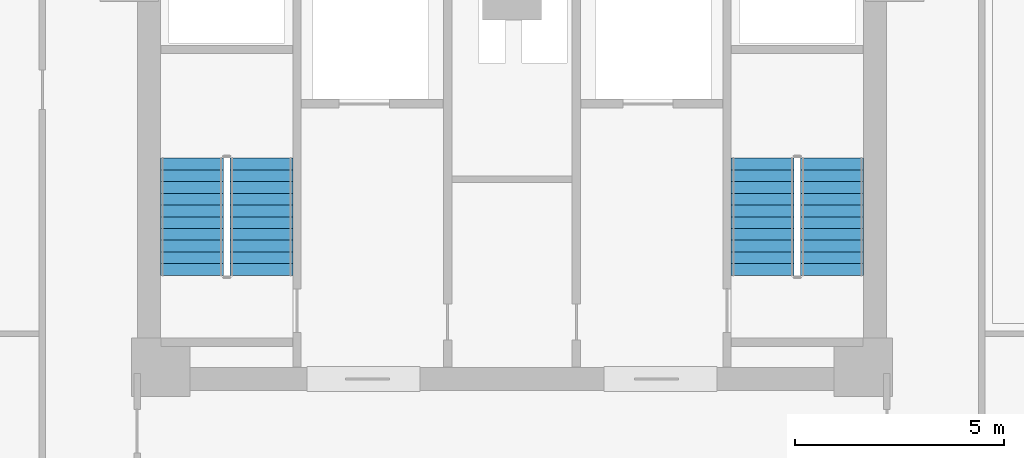
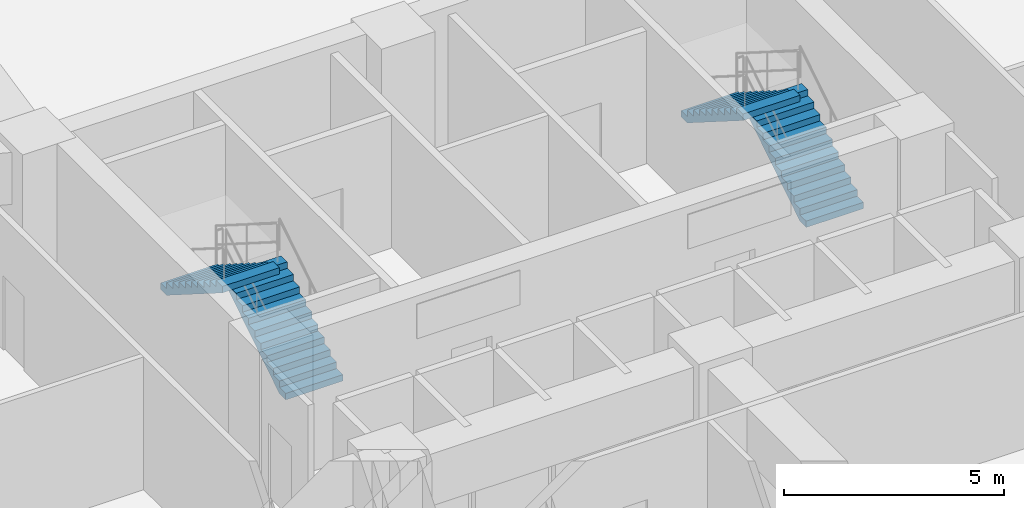
# One storey, part 17 of 20: 4 stair flights, 2 elements without a shape of their own.
"""IFC4 building model written with IfcOpenShell, lengths in metres."""

from ifc_helpers import new_model, si_unit, derived_unit, direction, frame, origin, place, context, subcontext, project, spatial, polyline, outline, extrude, material, type_object, element, aggregate, save


model = new_model("IFC4")

# Units and contexts
model_context = context("Model", 3, precision=1e-05, world=origin(), true_north=direction((0.0, 1.0)))
body_context = subcontext(model_context, "Body", "Model", "MODEL_VIEW")
ifc_project = project(units=[si_unit("LENGTHUNIT", "METRE"), si_unit("AREAUNIT", "SQUARE_METRE"), si_unit("VOLUMEUNIT", "CUBIC_METRE"), si_unit("PLANEANGLEUNIT", "RADIAN"), si_unit("MASSUNIT", "GRAM", prefix="KILO"), derived_unit("THERMALTRANSMITTANCEUNIT", [(si_unit("POWERUNIT", "WATT"), 1), (si_unit("LENGTHUNIT", "METRE"), -2), (si_unit("THERMODYNAMICTEMPERATUREUNIT", "KELVIN"), -1)])], contexts=[model_context])

# Site, building, storey
site_placement = place(None, origin())
site = spatial("IfcSite", under=ifc_project, at=site_placement, CompositionType="ELEMENT")
building_placement = place(site_placement, origin())
building = spatial("IfcBuilding", under=site, at=building_placement, Name="Korsvarv Bourse and Concert Hall", CompositionType="ELEMENT")
storey_placement = place(building_placement, frame((0.0, 0.0, 39.60009765625)))
storey = spatial("IfcBuildingStorey", under=building, at=storey_placement, Name="L09", CompositionType="ELEMENT", Elevation=39.60009765625)

# Stair, stair flights
ifc_material = material(Name="Precast concrete C45/55", Category="concrete")
stair_type = type_object("IfcStairType", Name="STR-TYPE-03", PredefinedType="HALF_TURN_STAIR", material=ifc_material)
stair_1_placement = place(storey_placement, origin())
stair_1 = element("IfcStair", 1, at=stair_1_placement, inside=storey, type_object=stair_type, Name="L09 Tower West Exit Stair ST-T1", PredefinedType="HALF_TURN_STAIR")
stair_flight_type = type_object("IfcStairFlightType", Name="FLT-TYPE-03", PredefinedType="STRAIGHT", material=ifc_material)
stair_flight_1_placement = place(storey_placement, frame((30.010009765625, 40.0, 0.0), z_axis=(0.0, 0.0, 1.0), x_axis=(0.0, 1.0, 0.0)))
stair_flight_1 = element("IfcStairFlight", 2, at=stair_flight_1_placement, type_object=stair_flight_type, Name="ST-T1 flight 1", NumberOfRisers=11, NumberOfTreads=10, PredefinedType="STRAIGHT", RiserHeight=0.177272727, TreadLength=0.28, context=body_context, shape_type="SweptSolid", body=[
    extrude(outline(polyline([(0.0, 0.0), (0.0, 0.17724609375), (0.280029296875, 0.17724609375), (0.280029296875, 0.3544921875), (0.56005859375, 0.3544921875), (0.56005859375, 0.53173828125), (0.840087890625, 0.53173828125), (0.840087890625, 0.708984375), (1.1201171875, 0.708984375), (1.1201171875, 0.886474609375), (1.39990234375, 0.886474609375), (1.39990234375, 1.063720703125), (1.679931640625, 1.063720703125), (1.679931640625, 1.240966796875), (1.9599609375, 1.240966796875), (1.9599609375, 1.418212890625), (2.239990234375, 1.418212890625), (2.239990234375, 1.595458984375), (2.52001953125, 1.595458984375), (2.52001953125, 1.772705078125), (2.800048828125, 1.772705078125), (2.800048828125, 1.949951171875), (2.800048828125, 1.59521484375), (0.2802734375, 0.0), (0.0, 0.0)])), frame((0.0, 0.75, 0.0), z_axis=(0.0, -1.0, 0.0), x_axis=(1.0, 0.0, 0.0)), (0.0, 0.0, 1.0), 1.5),
])
stair_flight_2_placement = place(storey_placement, frame((28.35009765625, 42.800048828125, 1.949951171875), z_axis=(0.0, 0.0, 1.0), x_axis=(0.0, -1.0, 0.0)))
stair_flight_2 = element("IfcStairFlight", 3, at=stair_flight_2_placement, type_object=stair_flight_type, Name="ST-T1 flight 2", NumberOfRisers=11, NumberOfTreads=10, PredefinedType="STRAIGHT", RiserHeight=0.177272727, TreadLength=0.28, context=body_context, shape_type="SweptSolid", body=[
    extrude(outline(polyline([(0.0, 0.0), (0.0, 0.17724609375), (0.280029296875, 0.17724609375), (0.280029296875, 0.3544921875), (0.56005859375, 0.3544921875), (0.56005859375, 0.53173828125), (0.840087890625, 0.53173828125), (0.840087890625, 0.708984375), (1.1201171875, 0.708984375), (1.1201171875, 0.886474609375), (1.39990234375, 0.886474609375), (1.39990234375, 1.063720703125), (1.679931640625, 1.063720703125), (1.679931640625, 1.240966796875), (1.9599609375, 1.240966796875), (1.9599609375, 1.418212890625), (2.239990234375, 1.418212890625), (2.239990234375, 1.595458984375), (2.52001953125, 1.595458984375), (2.52001953125, 1.772705078125), (2.800048828125, 1.772705078125), (2.800048828125, 1.949951171875), (2.800048828125, 1.59521484375), (0.2802734375, 0.0), (0.0, 0.0)])), frame((0.0, 0.75, 0.0), z_axis=(0.0, -1.0, 0.0), x_axis=(1.0, 0.0, 0.0)), (0.0, 0.0, 1.0), 1.5),
])
aggregate(stair_1, [stair_flight_1, stair_flight_2])

stair_2_placement = place(storey_placement, origin())
stair_2 = element("IfcStair", 4, at=stair_2_placement, inside=storey, type_object=stair_type, Name="L09 Tower East Exit Stair ST-T2", PredefinedType="HALF_TURN_STAIR")
stair_flight_3_placement = place(storey_placement, frame((43.64990234375, 40.0, 0.0), z_axis=(0.0, 0.0, 1.0), x_axis=(0.0, 1.0, 0.0)))
stair_flight_3 = element("IfcStairFlight", 5, at=stair_flight_3_placement, type_object=stair_flight_type, Name="ST-T2 flight 1", NumberOfRisers=11, NumberOfTreads=10, PredefinedType="STRAIGHT", RiserHeight=0.177272727, TreadLength=0.28, context=body_context, shape_type="SweptSolid", body=[
    extrude(outline(polyline([(0.0, 0.0), (0.0, 0.17724609375), (0.280029296875, 0.17724609375), (0.280029296875, 0.3544921875), (0.56005859375, 0.3544921875), (0.56005859375, 0.53173828125), (0.840087890625, 0.53173828125), (0.840087890625, 0.708984375), (1.1201171875, 0.708984375), (1.1201171875, 0.886474609375), (1.39990234375, 0.886474609375), (1.39990234375, 1.063720703125), (1.679931640625, 1.063720703125), (1.679931640625, 1.240966796875), (1.9599609375, 1.240966796875), (1.9599609375, 1.418212890625), (2.239990234375, 1.418212890625), (2.239990234375, 1.595458984375), (2.52001953125, 1.595458984375), (2.52001953125, 1.772705078125), (2.800048828125, 1.772705078125), (2.800048828125, 1.949951171875), (2.800048828125, 1.59521484375), (0.2802734375, 0.0), (0.0, 0.0)])), frame((0.0, 0.75, 0.0), z_axis=(0.0, -1.0, 0.0), x_axis=(1.0, 0.0, 0.0)), (0.0, 0.0, 1.0), 1.5),
])
stair_flight_4_placement = place(storey_placement, frame((41.989990234375, 42.800048828125, 1.949951171875), z_axis=(0.0, 0.0, 1.0), x_axis=(0.0, -1.0, 0.0)))
stair_flight_4 = element("IfcStairFlight", 6, at=stair_flight_4_placement, type_object=stair_flight_type, Name="ST-T2 flight 2", NumberOfRisers=11, NumberOfTreads=10, PredefinedType="STRAIGHT", RiserHeight=0.177272727, TreadLength=0.28, context=body_context, shape_type="SweptSolid", body=[
    extrude(outline(polyline([(0.0, 0.0), (0.0, 0.17724609375), (0.280029296875, 0.17724609375), (0.280029296875, 0.3544921875), (0.56005859375, 0.3544921875), (0.56005859375, 0.53173828125), (0.840087890625, 0.53173828125), (0.840087890625, 0.708984375), (1.1201171875, 0.708984375), (1.1201171875, 0.886474609375), (1.39990234375, 0.886474609375), (1.39990234375, 1.063720703125), (1.679931640625, 1.063720703125), (1.679931640625, 1.240966796875), (1.9599609375, 1.240966796875), (1.9599609375, 1.418212890625), (2.239990234375, 1.418212890625), (2.239990234375, 1.595458984375), (2.52001953125, 1.595458984375), (2.52001953125, 1.772705078125), (2.800048828125, 1.772705078125), (2.800048828125, 1.949951171875), (2.800048828125, 1.59521484375), (0.2802734375, 0.0), (0.0, 0.0)])), frame((0.0, 0.75, 0.0), z_axis=(0.0, -1.0, 0.0), x_axis=(1.0, 0.0, 0.0)), (0.0, 0.0, 1.0), 1.5),
])
aggregate(stair_2, [stair_flight_3, stair_flight_4])

save(model, "model.ifc")
